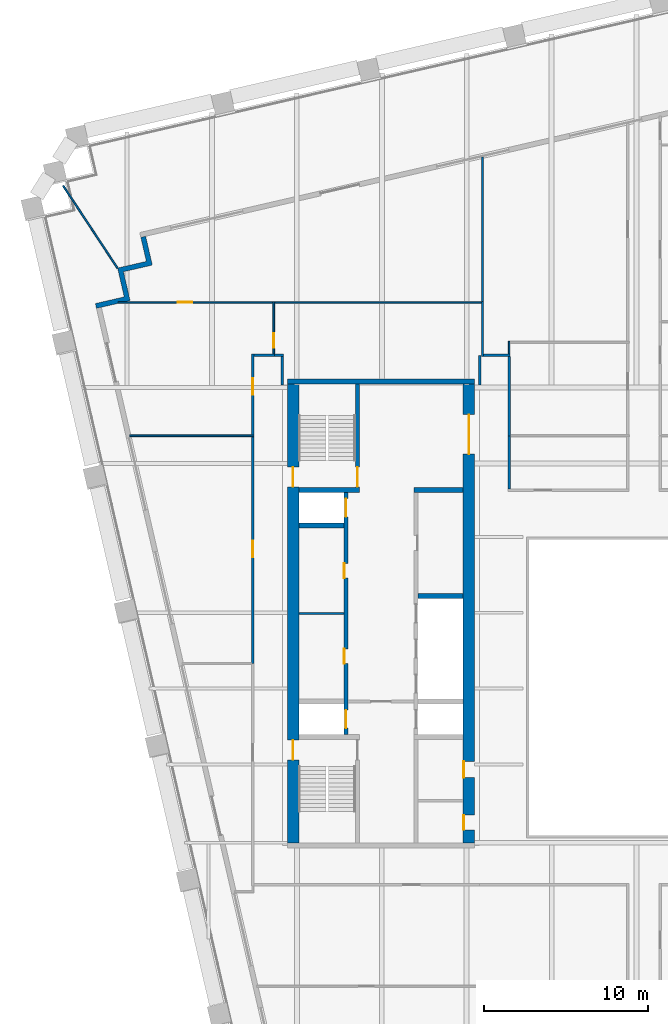
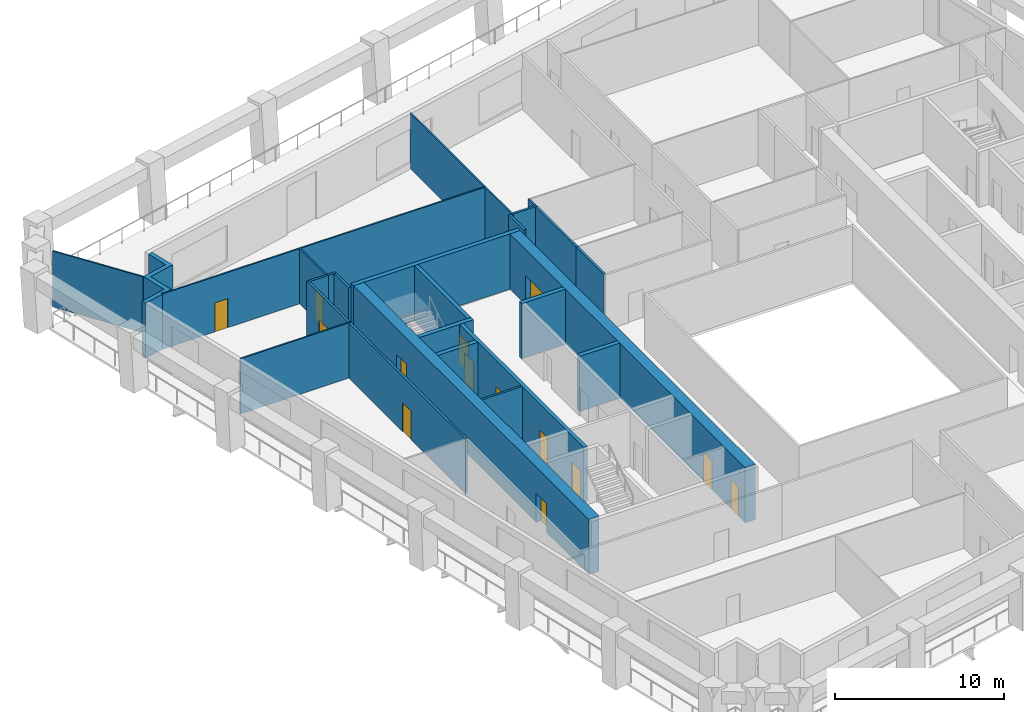
# One storey, part 6 of 11: 28 walls, 14 doors, 14 openings.
"""IFC4 building model written with IfcOpenShell, lengths in metres."""

import ifcopenshell
import ifcopenshell.guid

model = None  # the IFC model being written
_history = None  # IfcOwnerHistory: only IFC2X3 demands one
_inside = {}  # id of a spatial element -> (the spatial element, [elements in it])
_under = {}  # id of a project, library or spatial element -> (it, [spatial elements below it])
_declared = {}  # id of a project -> (the project, [libraries it declares])
_typed = {}  # id of a type object -> (the type object, [elements of that type])
_made_of = {}  # id of a material, layer set ... -> (it, [elements and type objects made of it])


def new_model(schema):
    """Start an empty IFC model of exactly this schema.

    Asked for "IFC4X3", IfcOpenShell would pick the latest addendum, in which some entities
    have other attributes; the version numbers below select the first issue.
    IFC2X3 requires an IfcOwnerHistory on every rooted entity: one is made here for all.
    """
    global model, _history
    if schema == "IFC4X3":
        model = ifcopenshell.file(schema_version=(4, 3, 0, 0))
    else:
        model = ifcopenshell.file(schema=schema)
    _inside.clear()
    _under.clear()
    _declared.clear()
    _typed.clear()
    _made_of.clear()
    _history = None
    if model.schema == "IFC2X3":
        org = make("IfcOrganization", Name="unknown")
        user = make(
            "IfcPersonAndOrganization",
            ThePerson=make("IfcPerson", FamilyName="unknown"),
            TheOrganization=org,
        )
        app = make(
            "IfcApplication",
            ApplicationDeveloper=org,
            Version="unknown",
            ApplicationFullName="unknown",
            ApplicationIdentifier="unknown",
        )
        _history = make(
            "IfcOwnerHistory",
            OwningUser=user,
            OwningApplication=app,
            ChangeAction="ADDED",
            CreationDate=0,
        )
    return model


def make(cls, **values):
    """One entity of the class cls with the attributes given. An attribute that is None is left unset."""
    return model.create_entity(
        cls, **{name: value for name, value in values.items() if value is not None}
    )


def rooted(cls, **values):
    """An entity with a GlobalId (a new one), such as an element, a storey or a relation."""
    return make(cls, GlobalId=ifcopenshell.guid.new(), OwnerHistory=_history, **values)


def si_unit(unit_type, name, prefix=None):
    """IfcSIUnit, for example si_unit("LENGTHUNIT", "METRE", prefix="MILLI")."""
    return make("IfcSIUnit", UnitType=unit_type, Prefix=prefix, Name=name)


def assignment(units):
    """IfcUnitAssignment: the units of a project."""
    return None if units is None else make("IfcUnitAssignment", Units=units)


def point(xyz):
    """IfcCartesianPoint."""
    return None if xyz is None else make("IfcCartesianPoint", Coordinates=xyz)


def direction(xyz):
    """IfcDirection."""
    return None if xyz is None else make("IfcDirection", DirectionRatios=xyz)


def frame(location, z_axis=None, x_axis=None):
    """IfcAxis2Placement3D, a coordinate frame: its origin and axes. An axis left out is left unset."""
    return make(
        "IfcAxis2Placement3D",
        Location=point(location),
        Axis=direction(z_axis),
        RefDirection=direction(x_axis),
    )


def frame_2d(location, x_axis=None):
    """IfcAxis2Placement2D, a coordinate frame in the plane: its origin and x axis."""
    return make(
        "IfcAxis2Placement2D", Location=point(location), RefDirection=direction(x_axis)
    )


def origin():
    """The frame at (0, 0, 0) with its axes left unset."""
    return frame((0.0, 0.0, 0.0))


def place(relative_to, where):
    """IfcLocalPlacement: puts the frame where relative to a parent placement (None: the world)."""
    return make(
        "IfcLocalPlacement", PlacementRelTo=relative_to, RelativePlacement=where
    )


def context(
    kind, dimensions, precision=None, world=None, true_north=None, identifier=None
):
    """IfcGeometricRepresentationContext, for example the 3D "Model" context."""
    return make(
        "IfcGeometricRepresentationContext",
        ContextIdentifier=identifier,
        ContextType=kind,
        CoordinateSpaceDimension=dimensions,
        Precision=precision,
        WorldCoordinateSystem=world,
        TrueNorth=true_north,
    )


def subcontext(parent, identifier, kind, view, scale=None):
    """IfcGeometricRepresentationSubContext, for example "Body" below "Model"."""
    return make(
        "IfcGeometricRepresentationSubContext",
        ContextIdentifier=identifier,
        ContextType=kind,
        ParentContext=parent,
        TargetScale=scale,
        TargetView=view,
    )


def project(units=None, contexts=None):
    """IfcProject with its units and contexts."""
    return rooted(
        "IfcProject",
        Name="project",
        RepresentationContexts=contexts,
        UnitsInContext=assignment(units),
    )


def spatial(cls, under=None, at=None, **own):
    """A site, building, storey or space (cls), placed at a placement, below another one or the project."""
    s = rooted(cls, ObjectPlacement=at, **own)
    if under is not None:
        _under.setdefault(under.id(), (under, []))[1].append(s)
    return s


def polyline(points):
    """IfcPolyline through the points."""
    return make("IfcPolyline", Points=[point(p) for p in points])


def profile(cls, at=None, kind="AREA", **sizes):
    """A parametric profile (cls). Its sizes go by their IFC names, for example OverallWidth=200.0."""
    return make(cls, ProfileType=kind, Position=at, **sizes)


def rectangle(**sizes):
    """IfcRectangleProfileDef."""
    return profile("IfcRectangleProfileDef", **sizes)


def outline(outer, holes=None, kind="AREA"):
    """IfcArbitraryClosedProfileDef: a profile drawn as a closed curve; with holes, ...WithVoids."""
    if holes is None:
        return make("IfcArbitraryClosedProfileDef", ProfileType=kind, OuterCurve=outer)
    return make(
        "IfcArbitraryProfileDefWithVoids",
        ProfileType=kind,
        OuterCurve=outer,
        InnerCurves=holes,
    )


def extrude(swept, where, along, depth):
    """IfcExtrudedAreaSolid: the profile swept, set in the frame where, extruded along a direction by depth."""
    return make(
        "IfcExtrudedAreaSolid",
        SweptArea=swept,
        Position=where,
        ExtrudedDirection=direction(along),
        Depth=depth,
    )


def shape(context_of_items, identifier, shape_type, items):
    """IfcShapeRepresentation: the items that make up one representation, for example the "Body"."""
    return make(
        "IfcShapeRepresentation",
        ContextOfItems=context_of_items,
        RepresentationIdentifier=identifier,
        RepresentationType=shape_type,
        Items=items,
    )


def material(Name=None, Category=None):
    """IfcMaterial."""
    return make("IfcMaterial", Name=Name, Category=Category)


def layer(
    of_material, thickness, ventilated=None, Name=None, Category=None, Priority=None
):
    """IfcMaterialLayer: one layer of a wall or slab, of a material (None: an air gap)."""
    return make(
        "IfcMaterialLayer",
        Material=of_material,
        LayerThickness=thickness,
        IsVentilated=ventilated,
        Name=Name,
        Category=Category,
        Priority=Priority,
    )


def layer_set(layers, Name=None):
    """IfcMaterialLayerSet."""
    return make("IfcMaterialLayerSet", MaterialLayers=layers, LayerSetName=Name)


def made_of(thing, what):
    """Note that an element or type object is made of a material, layer set ...; save() writes the relation."""
    if what is not None:
        _made_of.setdefault(what.id(), (what, []))[1].append(thing)
    return thing


def type_object(cls, material=None, **own):
    """A type object (cls), such as IfcWallType, which elements share."""
    return made_of(rooted(cls, **own), material)


def element(
    cls,
    number,
    at=None,
    inside=None,
    cuts=None,
    type_object=None,
    material=None,
    context=None,
    identifier="Body",
    shape_type=None,
    held_by="IfcProductDefinitionShape",
    body=None,
    shapes=None,
    **own,
):
    """One element of the class cls, such as IfcWall. Its Tag is "e" and its number.

    at: its placement. inside: the storey or other place that contains it. cuts: it is an
    opening in that element (IfcRelVoidsElement). A single representation is given by context,
    identifier, shape_type and body (its items); several are given by shapes. held_by: the class
    of the entity that holds the representations. save() writes the other relations.
    """
    e = rooted(cls, Tag="e%d" % number, ObjectPlacement=at, **own)
    if body is not None:
        shapes = [shape(context, identifier, shape_type, body)]
    if shapes is not None:
        e.Representation = make(held_by, Representations=shapes)
    if inside is not None:
        _inside.setdefault(inside.id(), (inside, []))[1].append(e)
    if cuts is not None:
        rooted(
            "IfcRelVoidsElement", RelatingBuildingElement=cuts, RelatedOpeningElement=e
        )
    if type_object is not None:
        _typed.setdefault(type_object.id(), (type_object, []))[1].append(e)
    return made_of(e, material)


def fill(opening, filler):
    """IfcRelFillsElement: the door or window that sits in an opening."""
    return rooted(
        "IfcRelFillsElement",
        RelatingOpeningElement=opening,
        RelatedBuildingElement=filler,
    )


def aggregate(whole, parts):
    """IfcRelAggregates: a whole, such as a stair, and the parts it consists of."""
    return rooted("IfcRelAggregates", RelatingObject=whole, RelatedObjects=parts)


def save(model, path):
    """Write the relations noted so far, then the file.

    IfcRelAggregates (storeys below a building ...), IfcRelContainedInSpatialStructure (elements
    in a storey), IfcRelDefinesByType, IfcRelAssociatesMaterial and IfcRelDeclares: one each for
    every whole, place, type object, material and project.
    """
    for whole, parts in _under.values():
        aggregate(whole, parts)
    for where, things in _inside.values():
        rooted(
            "IfcRelContainedInSpatialStructure",
            RelatedElements=things,
            RelatingStructure=where,
        )
    for kind, things in _typed.values():
        rooted("IfcRelDefinesByType", RelatedObjects=things, RelatingType=kind)
    for what, things in _made_of.values():
        rooted("IfcRelAssociatesMaterial", RelatedObjects=things, RelatingMaterial=what)
    for by, libraries in _declared.values():
        rooted("IfcRelDeclares", RelatingContext=by, RelatedDefinitions=libraries)
    model.write(path)


model = new_model("IFC4")

# Units and contexts
model_context = context("Model", 3, precision=1e-05, world=origin(), true_north=direction((0.0, 1.0)))
body_context = subcontext(model_context, "Body", "Model", "MODEL_VIEW")
ifc_project = project(units=[si_unit("LENGTHUNIT", "METRE"), si_unit("AREAUNIT", "SQUARE_METRE"), si_unit("VOLUMEUNIT", "CUBIC_METRE"), si_unit("PLANEANGLEUNIT", "RADIAN"), si_unit("MASSUNIT", "GRAM", prefix="KILO")], contexts=[model_context])

# Site, building, storey
site_placement = place(None, origin())
site = spatial("IfcSite", under=ifc_project, at=site_placement, CompositionType="ELEMENT")
building_placement = place(site_placement, origin())
building = spatial("IfcBuilding", under=site, at=building_placement, Name="Ogive Exchange Tower", CompositionType="ELEMENT")
storey_placement = place(building_placement, frame((0.0, 0.0, 213.60009765625)))
storey = spatial("IfcBuildingStorey", under=building, at=storey_placement, Name="L47", CompositionType="ELEMENT", Elevation=213.60009765625)

# Walls
ifc_material_1 = material(Name="Gypsum board partition")
ifc_layer_1 = layer(ifc_material_1, 0.14990234375)
ifc_layer_set_1 = layer_set([ifc_layer_1], Name="Core room partition 150 gypsum")
wall_type_1 = type_object("IfcWallType", Name="Core room partition 150 gypsum", PredefinedType="PARTITIONING", material=ifc_layer_set_1)
wall_1_placement = place(storey_placement, frame((-21.0, 11.5, 0.0), z_axis=(0.0, 0.0, 1.0), x_axis=(1.0, 0.0, 0.0)))
element("IfcWall", 1, at=wall_1_placement, inside=storey, type_object=wall_type_1, Name="W row A bay partition 1-1", PredefinedType="PARTITIONING", context=body_context, shape_type="SweptSolid", body=[
    extrude(rectangle(XDim=2.75, YDim=0.14990234375, at=frame_2d((1.375, 0.0))), origin(), (0.0, 0.0, 1.0), 4.0),
])
ifc_layer_2 = layer(ifc_material_1, 0.300048828125)
ifc_layer_set_2 = layer_set([ifc_layer_2], Name="Core room partition 300 gypsum")
wall_type_2 = type_object("IfcWallType", Name="Core room partition 300 gypsum", PredefinedType="PARTITIONING", material=ifc_layer_set_2)
wall_2_placement = place(storey_placement, frame((-14.0, 19.0, 0.0), z_axis=(0.0, 0.0, 1.0), x_axis=(1.0, 0.0, 0.0)))
element("IfcWall", 2, at=wall_2_placement, inside=storey, type_object=wall_type_2, Name="W row B room end wall 7", PredefinedType="PARTITIONING", context=body_context, shape_type="SweptSolid", body=[
    extrude(rectangle(XDim=3.0, YDim=0.300048828125, at=frame_2d((1.5, 0.0))), origin(), (0.0, 0.0, 1.0), 4.0),
])

# Wall, opening, door
ifc_material_2 = material(Name="Fire partition EI 60 150")
ifc_layer_3 = layer(ifc_material_2, 0.14990234375)
ifc_layer_set_3 = layer_set([ifc_layer_3], Name="Fire partition EI 60 150")
wall_type_3 = type_object("IfcWallType", Name="Fire partition EI 60 150", PredefinedType="PARTITIONING", material=ifc_layer_set_3)
wall_3_placement = place(storey_placement, frame((-23.800048828125, 8.449951171875, 0.0), z_axis=(0.0, 0.0, 1.0), x_axis=(0.0, 1.0, 0.0)))
wall_3 = element("IfcWall", 3, at=wall_3_placement, inside=storey, type_object=wall_type_3, Name="L47-PWL-004", PredefinedType="PARTITIONING", context=body_context, shape_type="SweptSolid", body=[
    extrude(rectangle(XDim=13.81005859375, YDim=0.14990234375, at=frame_2d((6.905029296875, 0.0))), origin(), (0.0, 0.0, 1.0), 4.0),
])
opening_1_placement = place(wall_3_placement, frame((6.4599609375, 0.0, 0.0)))
opening_1 = element("IfcOpeningElement", 4, at=opening_1_placement, cuts=wall_3, Name="Opening L47-I01", PredefinedType="OPENING", context=body_context, shape_type="SweptSolid", body=[
    extrude(rectangle(XDim=1.0, YDim=2.10009765625, at=frame_2d((0.5, 1.050048828125))), frame((0.0, 0.0849609375, 0.0), z_axis=(0.0, -1.0, 0.0), x_axis=(1.0, 0.0, 0.0)), (0.0, 0.0, 1.0), 0.169921875),
])
ifc_material_3 = material(Name="Fire door FD 30S 1000 x 2100")
door_type_1 = type_object("IfcDoorType", Name="Fire door FD 30S 1000 x 2100", OperationType="NOTDEFINED", PredefinedType="DOOR", material=ifc_material_3)
door_1_placement = place(opening_1_placement, origin())
door_1 = element("IfcDoor", 5, at=door_1_placement, inside=storey, type_object=door_type_1, Name="L47-IDR-001", ObjectType="DT3", OperationType="SINGLE_SWING_LEFT", OverallHeight=2.10009765625, OverallWidth=1.0, PredefinedType="DOOR", context=body_context, shape_type="SweptSolid", body=[
    extrude(rectangle(XDim=1.0, YDim=2.10009765625, at=frame_2d((0.5, 1.050048828125))), frame((0.0, 0.02490234375, 0.0), z_axis=(0.0, -1.0, 0.0), x_axis=(1.0, 0.0, 0.0)), (0.0, 0.0, 1.0), 0.050048828125),
])
fill(opening_1, door_1)

wall_4_placement = place(storey_placement, frame((-23.800048828125, 22.360107421875, 0.0), z_axis=(0.0, 0.0, 1.0), x_axis=(0.0, 1.0, 0.0)))
wall_4 = element("IfcWall", 6, at=wall_4_placement, inside=storey, type_object=wall_type_3, Name="L47-PWL-005", PredefinedType="PARTITIONING", context=body_context, shape_type="SweptSolid", body=[
    extrude(rectangle(XDim=4.914794921875, YDim=0.14990234375, at=frame_2d((2.45751953125, 0.0))), origin(), (0.0, 0.0, 1.0), 4.0),
])
opening_2_placement = place(wall_4_placement, frame((2.43994140625, 0.0, 0.0)))
opening_2 = element("IfcOpeningElement", 7, at=opening_2_placement, cuts=wall_4, Name="Opening L47-I07", PredefinedType="OPENING", context=body_context, shape_type="SweptSolid", body=[
    extrude(rectangle(XDim=1.0, YDim=2.10009765625, at=frame_2d((0.5, 1.050048828125))), frame((0.0, 0.0849609375, 0.0), z_axis=(0.0, -1.0, 0.0), x_axis=(1.0, 0.0, 0.0)), (0.0, 0.0, 1.0), 0.169921875),
])
door_2_placement = place(opening_2_placement, origin())
door_2 = element("IfcDoor", 8, at=door_2_placement, inside=storey, type_object=door_type_1, Name="L47-IDR-007", ObjectType="DT3", OperationType="SINGLE_SWING_RIGHT", OverallHeight=2.10009765625, OverallWidth=1.0, PredefinedType="DOOR", context=body_context, shape_type="SweptSolid", body=[
    extrude(rectangle(XDim=1.0, YDim=2.10009765625, at=frame_2d((0.5, 1.050048828125))), frame((0.0, 0.02490234375, 0.0), z_axis=(0.0, -1.0, 0.0), x_axis=(1.0, 0.0, 0.0)), (0.0, 0.0, 1.0), 0.050048828125),
])
fill(opening_2, door_2)

# Walls
wall_5_placement = place(storey_placement, frame((-23.72509765625, 27.199951171875, 0.0), z_axis=(0.0, 0.0, 1.0), x_axis=(1.0, 0.0, 0.0)))
element("IfcWall", 9, at=wall_5_placement, inside=storey, type_object=wall_type_3, Name="L47-PWL-006", PredefinedType="PARTITIONING", context=body_context, shape_type="SweptSolid", body=[
    extrude(rectangle(XDim=1.255126953125, YDim=0.14990234375, at=frame_2d((0.62744140625, 0.0))), origin(), (0.0, 0.0, 1.0), 4.0),
])
wall_6_placement = place(storey_placement, frame((-22.469970703125, 27.199951171875, 0.0), z_axis=(0.0, 0.0, 1.0), x_axis=(1.0, 0.0, 0.0)))
element("IfcWall", 10, at=wall_6_placement, inside=storey, type_object=wall_type_3, Name="L47-PWL-010", PredefinedType="PARTITIONING", context=body_context, shape_type="SweptSolid", body=[
    extrude(rectangle(XDim=0.544921875, YDim=0.14990234375, at=frame_2d((0.2724609375, 0.0))), origin(), (0.0, 0.0, 1.0), 4.0),
])
wall_7_placement = place(storey_placement, frame((-22.0, 27.125, 0.0), z_axis=(0.0, 0.0, 1.0), x_axis=(0.0, -1.0, 0.0)))
element("IfcWall", 11, at=wall_7_placement, inside=storey, type_object=wall_type_3, Name="L47-PWL-012", PredefinedType="PARTITIONING", context=body_context, shape_type="SweptSolid", body=[
    extrude(rectangle(XDim=1.72509765625, YDim=0.14990234375, at=frame_2d((0.862548828125, 0.0))), origin(), (0.0, 0.0, 1.0), 4.0),
])
wall_8_placement = place(storey_placement, frame((-10.0, 25.39990234375, 0.0), z_axis=(0.0, 0.0, 1.0), x_axis=(0.0, 1.0, 0.0)))
element("IfcWall", 12, at=wall_8_placement, inside=storey, type_object=wall_type_3, Name="L47-PWL-014", PredefinedType="PARTITIONING", context=body_context, shape_type="SweptSolid", body=[
    extrude(rectangle(XDim=1.800048828125, YDim=0.14990234375, at=frame_2d((0.89990234375, 0.0))), origin(), (0.0, 0.0, 1.0), 4.0),
])
wall_9_placement = place(storey_placement, frame((-9.780029296875, 27.2099609375, 0.0), z_axis=(0.0, 0.0, 1.0), x_axis=(1.0, 0.0, 0.0)))
element("IfcWall", 13, at=wall_9_placement, inside=storey, type_object=wall_type_3, Name="L47-PWL-018", PredefinedType="PARTITIONING", context=body_context, shape_type="SweptSolid", body=[
    extrude(rectangle(XDim=1.6201171875, YDim=0.14990234375, at=frame_2d((0.81005859375, 0.0))), origin(), (0.0, 0.0, 1.0), 4.0),
])
wall_10_placement = place(storey_placement, frame((-8.199951171875, 22.31005859375, 0.0), z_axis=(0.0, 0.0, 1.0), x_axis=(0.0, -1.0, 0.0)))
element("IfcWall", 14, at=wall_10_placement, inside=storey, type_object=wall_type_3, Name="L47-PWL-024", PredefinedType="PARTITIONING", context=body_context, shape_type="SweptSolid", body=[
    extrude(rectangle(XDim=3.235107421875, YDim=0.14990234375, at=frame_2d((1.61767578125, 0.0))), origin(), (0.0, 0.0, 1.0), 4.0),
])
wall_11_placement = place(storey_placement, frame((-8.199951171875, 27.125, 0.0), z_axis=(0.0, 0.0, 1.0), x_axis=(0.0, -1.0, 0.0)))
element("IfcWall", 15, at=wall_11_placement, inside=storey, type_object=wall_type_3, Name="L47-PWL-026", PredefinedType="PARTITIONING", context=body_context, shape_type="SweptSolid", body=[
    extrude(rectangle(XDim=4.81494140625, YDim=0.14990234375, at=frame_2d((2.407470703125, 0.0))), origin(), (0.0, 0.0, 1.0), 4.0),
])
ifc_material_4 = material(Name="Precast concrete C40/50", Category="concrete")
ifc_layer_4 = layer(ifc_material_4, 0.300048828125)
ifc_layer_set_4 = layer_set([ifc_layer_4], Name="Limestone-faced wall 300")
wall_type_4 = type_object("IfcWallType", Name="Limestone-faced wall 300", PredefinedType="STANDARD", material=ifc_layer_set_4)
wall_12_placement = place(storey_placement, origin())
element("IfcWall", 16, at=wall_12_placement, inside=storey, type_object=wall_type_4, Name="External corner wall C3", PredefinedType="STANDARD", context=body_context, shape_type="SweptSolid", body=[
    extrude(outline(polyline([(-31.616943359375, 30.755615234375), (-32.02197265625, 32.509521484375), (-30.26806640625, 32.914306640625), (-30.60546875, 34.3759765625), (-30.31298828125, 34.443359375), (-29.908203125, 32.689697265625), (-31.662109375, 32.28466796875), (-31.257080078125, 30.53076171875), (-33.30322265625, 30.058349609375), (-33.370849609375, 30.3505859375), (-31.616943359375, 30.755615234375)])), origin(), (0.0, 0.0, 1.0), 4.0),
])
ifc_material_5 = material(Name="Laminated safety glass in steel frame", Category="steel")
ifc_layer_5 = layer(ifc_material_5, 0.10009765625)
ifc_layer_set_5 = layer_set([ifc_layer_5], Name="Loggia end screen 100")
wall_type_5 = type_object("IfcWallType", Name="Loggia end screen 100", PredefinedType="STANDARD", material=ifc_layer_set_5)
wall_13_placement = place(storey_placement, frame((-32.02197265625, 32.509521484375, -0.050048828125), z_axis=(0.0, 0.0, 1.0), x_axis=(-0.551323545156, 0.834291524922, 0.0)))
element("IfcWall", 17, at=wall_13_placement, inside=storey, type_object=wall_type_5, Name="Loggia end screen C3", PredefinedType="STANDARD", context=body_context, shape_type="SweptSolid", body=[
    extrude(rectangle(XDim=5.998046875, YDim=0.10009765625, at=frame_2d((2.9990234375, 0.0))), origin(), (0.0, 0.0, 1.0), 4.050048828125),
])
ifc_material_6 = material(Name="Partition 100 gypsum")
ifc_layer_6 = layer(ifc_material_6, 0.10009765625)
ifc_layer_set_6 = layer_set([ifc_layer_6], Name="Partition 100 gypsum")
wall_type_6 = type_object("IfcWallType", Name="Partition 100 gypsum", PredefinedType="PARTITIONING", material=ifc_layer_set_6)
wall_14_placement = place(storey_placement, frame((-31.2890625, 22.31005859375, 0.0), z_axis=(0.0, 0.0, 1.0), x_axis=(1.0, 0.0, 0.0)))
element("IfcWall", 18, at=wall_14_placement, inside=storey, type_object=wall_type_6, Name="L47-PWL-001", PredefinedType="PARTITIONING", context=body_context, shape_type="SweptSolid", body=[
    extrude(rectangle(XDim=7.56396484375, YDim=0.10009765625, at=frame_2d((3.781982421875, 0.0))), origin(), (0.0, 0.0, 1.0), 4.0),
])

# Wall, opening, door
wall_15_placement = place(storey_placement, frame((-22.52001953125, 27.27490234375, 0.0), z_axis=(0.0, 0.0, 1.0), x_axis=(0.0, 1.0, 0.0)))
wall_15 = element("IfcWall", 19, at=wall_15_placement, inside=storey, type_object=wall_type_6, Name="L47-PWL-009", PredefinedType="PARTITIONING", context=body_context, shape_type="SweptSolid", body=[
    extrude(rectangle(XDim=3.195068359375, YDim=0.10009765625, at=frame_2d((1.59765625, 0.0))), origin(), (0.0, 0.0, 1.0), 4.0),
])
opening_3_placement = place(wall_15_placement, frame((0.375, 0.0, 0.0)))
opening_3 = element("IfcOpeningElement", 20, at=opening_3_placement, cuts=wall_15, Name="Opening L47-I06", PredefinedType="OPENING", context=body_context, shape_type="SweptSolid", body=[
    extrude(rectangle(XDim=0.89990234375, YDim=2.10009765625, at=frame_2d((0.449951171875, 1.050048828125))), frame((0.0, 0.06005859375, 0.0), z_axis=(0.0, -1.0, 0.0), x_axis=(1.0, 0.0, 0.0)), (0.0, 0.0, 1.0), 0.1201171875),
])
ifc_material_7 = material(Name="Door 900 x 2100")
door_type_2 = type_object("IfcDoorType", Name="Door 900 x 2100", OperationType="NOTDEFINED", PredefinedType="DOOR", material=ifc_material_7)
door_3_placement = place(opening_3_placement, frame((0.89990234375, 0.0, 0.0), z_axis=(0.0, 0.0, 1.0), x_axis=(-1.0, 0.0, 0.0)))
door_3 = element("IfcDoor", 21, at=door_3_placement, inside=storey, type_object=door_type_2, Name="L47-IDR-006", ObjectType="DT1", OperationType="SINGLE_SWING_LEFT", OverallHeight=2.10009765625, OverallWidth=0.89990234375, PredefinedType="DOOR", context=body_context, shape_type="SweptSolid", body=[
    extrude(rectangle(XDim=0.89990234375, YDim=2.10009765625, at=frame_2d((0.449951171875, 1.050048828125))), frame((0.0, 0.02490234375, 0.0), z_axis=(0.0, -1.0, 0.0), x_axis=(1.0, 0.0, 0.0)), (0.0, 0.0, 1.0), 0.050048828125),
])
fill(opening_3, door_3)

wall_16_placement = place(storey_placement, frame((-22.570068359375, 30.419921875, 0.0), z_axis=(0.0, 0.0, 1.0), x_axis=(-1.0, 0.0, 0.0)))
wall_16 = element("IfcWall", 22, at=wall_16_placement, inside=storey, type_object=wall_type_6, Name="L47-PWL-011", PredefinedType="PARTITIONING", context=body_context, shape_type="SweptSolid", body=[
    extrude(rectangle(XDim=9.411865234375, YDim=0.10009765625, at=frame_2d((4.7060546875, 0.0))), origin(), (0.0, 0.0, 1.0), 4.0),
])
opening_4_placement = place(wall_16_placement, frame((4.89990234375, 0.0, 0.0)))
opening_4 = element("IfcOpeningElement", 23, at=opening_4_placement, cuts=wall_16, Name="Opening L47-I05", PredefinedType="OPENING", context=body_context, shape_type="SweptSolid", body=[
    extrude(rectangle(XDim=0.89990234375, YDim=2.10009765625, at=frame_2d((0.449951171875, 1.050048828125))), frame((0.0, 0.06005859375, 0.0), z_axis=(0.0, -1.0, 0.0), x_axis=(1.0, 0.0, 0.0)), (0.0, 0.0, 1.0), 0.1201171875),
])
door_4_placement = place(opening_4_placement, origin())
door_4 = element("IfcDoor", 24, at=door_4_placement, inside=storey, type_object=door_type_2, Name="L47-IDR-005", ObjectType="DT1", OperationType="SINGLE_SWING_RIGHT", OverallHeight=2.10009765625, OverallWidth=0.89990234375, PredefinedType="DOOR", context=body_context, shape_type="SweptSolid", body=[
    extrude(rectangle(XDim=0.89990234375, YDim=2.10009765625, at=frame_2d((0.449951171875, 1.050048828125))), frame((0.0, 0.02490234375, 0.0), z_axis=(0.0, -1.0, 0.0), x_axis=(1.0, 0.0, 0.0)), (0.0, 0.0, 1.0), 0.050048828125),
])
fill(opening_4, door_4)

# Walls
wall_17_placement = place(storey_placement, frame((-9.830078125, 27.135009765625, 0.0), z_axis=(0.0, 0.0, 1.0), x_axis=(0.0, 1.0, 0.0)))
element("IfcWall", 25, at=wall_17_placement, inside=storey, type_object=wall_type_6, Name="L47-PWL-017", PredefinedType="PARTITIONING", context=body_context, shape_type="SweptSolid", body=[
    extrude(rectangle(XDim=3.3349609375, YDim=0.10009765625, at=frame_2d((1.66748046875, 0.0))), origin(), (0.0, 0.0, 1.0), 4.0),
])
wall_18_placement = place(storey_placement, frame((-9.8798828125, 30.419921875, 0.0), z_axis=(0.0, 0.0, 1.0), x_axis=(-1.0, 0.0, 0.0)))
element("IfcWall", 26, at=wall_18_placement, inside=storey, type_object=wall_type_6, Name="L47-PWL-019", PredefinedType="PARTITIONING", context=body_context, shape_type="SweptSolid", body=[
    extrude(rectangle(XDim=12.590087890625, YDim=0.10009765625, at=frame_2d((6.294921875, 0.0))), origin(), (0.0, 0.0, 1.0), 4.0),
])
wall_19_placement = place(storey_placement, frame((-9.830078125, 30.419921875, 0.0), z_axis=(0.0, 0.0, 1.0), x_axis=(0.0, 1.0, 0.0)))
element("IfcWall", 27, at=wall_19_placement, inside=storey, type_object=wall_type_6, Name="L47-PWL-020", PredefinedType="PARTITIONING", context=body_context, shape_type="SweptSolid", body=[
    extrude(rectangle(XDim=8.8349609375, YDim=0.10009765625, at=frame_2d((4.41748046875, 0.0))), origin(), (0.0, 0.0, 1.0), 4.0),
])
wall_20_placement = place(storey_placement, frame((-8.2099609375, 27.284912109375, 0.0), z_axis=(0.0, 0.0, 1.0), x_axis=(0.0, 1.0, 0.0)))
element("IfcWall", 28, at=wall_20_placement, inside=storey, type_object=wall_type_6, Name="L47-PWL-021", PredefinedType="PARTITIONING", context=body_context, shape_type="SweptSolid", body=[
    extrude(rectangle(XDim=0.76513671875, YDim=0.10009765625, at=frame_2d((0.382568359375, 0.0))), origin(), (0.0, 0.0, 1.0), 4.0),
])

# Wall, opening, door
ifc_material_8 = material(Name="Concrete C70/85", Category="concrete")
ifc_layer_7 = layer(ifc_material_8, 0.25)
ifc_layer_set_7 = layer_set([ifc_layer_7], Name="RC core wall 250 C70/85")
wall_type_7 = type_object("IfcWallType", Name="RC core wall 250 C70/85", PredefinedType="SHEAR", material=ifc_layer_set_7)
wall_21_placement = place(storey_placement, frame((-17.425048828125, 19.14990234375, 0.0), z_axis=(0.0, 0.0, 1.0), x_axis=(0.0, 1.0, 0.0)))
wall_21 = element("IfcWall", 29, at=wall_21_placement, inside=storey, type_object=wall_type_7, Name="W stair N front wall", PredefinedType="SHEAR", context=body_context, shape_type="SweptSolid", body=[
    extrude(rectangle(XDim=6.300048828125, YDim=0.25, at=frame_2d((3.14990234375, 0.0))), origin(), (0.0, 0.0, 1.0), 4.0),
])
opening_5_placement = place(wall_21_placement, frame((0.050048828125, 0.0, 0.0)))
opening_5 = element("IfcOpeningElement", 30, at=opening_5_placement, cuts=wall_21, Name="Opening L47-C14", PredefinedType="OPENING", context=body_context, shape_type="SweptSolid", body=[
    extrude(rectangle(XDim=1.199951171875, YDim=2.10009765625, at=frame_2d((0.60009765625, 1.050048828125))), frame((0.0, 0.135009765625, 0.0), z_axis=(0.0, -1.0, 0.0), x_axis=(1.0, 0.0, 0.0)), (0.0, 0.0, 1.0), 0.27001953125),
])
ifc_material_9 = material(Name="Steel fire door", Category="steel")
door_type_3 = type_object("IfcDoorType", Name="Stair door FD90 1200 x 2100", OperationType="NOTDEFINED", PredefinedType="DOOR", material=ifc_material_9)
door_5_placement = place(opening_5_placement, origin())
door_5 = element("IfcDoor", 31, at=door_5_placement, inside=storey, type_object=door_type_3, Name="Stair door", ObjectType="CD5", OperationType="SINGLE_SWING_RIGHT", OverallHeight=2.10009765625, OverallWidth=1.199951171875, PredefinedType="DOOR", context=body_context, shape_type="SweptSolid", body=[
    extrude(rectangle(XDim=1.199951171875, YDim=2.10009765625, at=frame_2d((0.60009765625, 1.050048828125))), frame((0.0, 0.02490234375, 0.0), z_axis=(0.0, -1.0, 0.0), x_axis=(1.0, 0.0, 0.0)), (0.0, 0.0, 1.0), 0.050048828125),
])
fill(opening_5, door_5)

# Wall, openings, doors
wall_22_placement = place(storey_placement, frame((-18.125, 4.14990234375, 0.0), z_axis=(0.0, 0.0, 1.0), x_axis=(0.0, 1.0, 0.0)))
wall_22 = element("IfcWall", 32, at=wall_22_placement, inside=storey, type_object=wall_type_7, Name="W row A front wall", PredefinedType="SHEAR", context=body_context, shape_type="SweptSolid", body=[
    extrude(rectangle(XDim=14.7001953125, YDim=0.25, at=frame_2d((7.35009765625, 0.0))), origin(), (0.0, 0.0, 1.0), 4.0),
])
opening_6_placement = place(wall_22_placement, frame((4.29638671875, 0.0, 0.0)))
opening_6 = element("IfcOpeningElement", 33, at=opening_6_placement, cuts=wall_22, Name="Opening L47-C01", PredefinedType="OPENING", context=body_context, shape_type="SweptSolid", body=[
    extrude(rectangle(XDim=0.89990234375, YDim=2.10009765625, at=frame_2d((0.449951171875, 1.050048828125))), frame((0.0, 0.135009765625, 0.0), z_axis=(0.0, -1.0, 0.0), x_axis=(1.0, 0.0, 0.0)), (0.0, 0.0, 1.0), 0.27001953125),
])
opening_7_placement = place(wall_22_placement, frame((9.503662109375, 0.0, 0.0)))
opening_7 = element("IfcOpeningElement", 34, at=opening_7_placement, cuts=wall_22, Name="Opening L47-C02", PredefinedType="OPENING", context=body_context, shape_type="SweptSolid", body=[
    extrude(rectangle(XDim=0.89990234375, YDim=2.10009765625, at=frame_2d((0.449951171875, 1.050048828125))), frame((0.0, 0.135009765625, 0.0), z_axis=(0.0, -1.0, 0.0), x_axis=(1.0, 0.0, 0.0)), (0.0, 0.0, 1.0), 0.27001953125),
])
opening_8_placement = place(wall_22_placement, frame((0.371337890625, 0.0, 0.0)))
opening_8 = element("IfcOpeningElement", 35, at=opening_8_placement, cuts=wall_22, Name="Opening L47-C03", PredefinedType="OPENING", context=body_context, shape_type="SweptSolid", body=[
    extrude(rectangle(XDim=1.10009765625, YDim=2.10009765625, at=frame_2d((0.550048828125, 1.050048828125))), frame((0.0, 0.135009765625, 0.0), z_axis=(0.0, -1.0, 0.0), x_axis=(1.0, 0.0, 0.0)), (0.0, 0.0, 1.0), 0.27001953125),
])
opening_9_placement = place(wall_22_placement, frame((13.228515625, 0.0, 0.0)))
opening_9 = element("IfcOpeningElement", 36, at=opening_9_placement, cuts=wall_22, Name="Opening L47-C04", PredefinedType="OPENING", context=body_context, shape_type="SweptSolid", body=[
    extrude(rectangle(XDim=1.10009765625, YDim=2.10009765625, at=frame_2d((0.550048828125, 1.050048828125))), frame((0.0, 0.135009765625, 0.0), z_axis=(0.0, -1.0, 0.0), x_axis=(1.0, 0.0, 0.0)), (0.0, 0.0, 1.0), 0.27001953125),
])
ifc_material_10 = material(Name="Stainless steel", Category="steel")
door_type_4 = type_object("IfcDoorType", Name="Lift landing door FD90 1100 x 2100", OperationType="SLIDING_TO_LEFT", PredefinedType="DOOR", material=ifc_material_10)
door_6_placement = place(opening_8_placement, origin())
door_6 = element("IfcDoor", 37, at=door_6_placement, inside=storey, type_object=door_type_4, Name="Lift landing door FF1", ObjectType="LD", OperationType="SLIDING_TO_LEFT", OverallHeight=2.10009765625, OverallWidth=1.10009765625, PredefinedType="DOOR", context=body_context, shape_type="SweptSolid", body=[
    extrude(rectangle(XDim=1.10009765625, YDim=2.10009765625, at=frame_2d((0.550048828125, 1.050048828125))), frame((0.0, 0.02490234375, 0.0), z_axis=(0.0, -1.0, 0.0), x_axis=(1.0, 0.0, 0.0)), (0.0, 0.0, 1.0), 0.050048828125),
])
fill(opening_8, door_6)
door_7_placement = place(opening_9_placement, origin())
door_7 = element("IfcDoor", 38, at=door_7_placement, inside=storey, type_object=door_type_4, Name="Lift landing door W-SH2", ObjectType="LD", OperationType="SLIDING_TO_LEFT", OverallHeight=2.10009765625, OverallWidth=1.10009765625, PredefinedType="DOOR", context=body_context, shape_type="SweptSolid", body=[
    extrude(rectangle(XDim=1.10009765625, YDim=2.10009765625, at=frame_2d((0.550048828125, 1.050048828125))), frame((0.0, 0.02490234375, 0.0), z_axis=(0.0, -1.0, 0.0), x_axis=(1.0, 0.0, 0.0)), (0.0, 0.0, 1.0), 0.050048828125),
])
fill(opening_9, door_7)
door_type_5 = type_object("IfcDoorType", Name="Riser door FD60 900 x 2100", OperationType="NOTDEFINED", PredefinedType="DOOR", material=ifc_material_9)
door_8_placement = place(opening_6_placement, origin())
door_8 = element("IfcDoor", 39, at=door_8_placement, inside=storey, type_object=door_type_5, Name="Riser door", ObjectType="CD2", OperationType="SINGLE_SWING_LEFT", OverallHeight=2.10009765625, OverallWidth=0.89990234375, PredefinedType="DOOR", context=body_context, shape_type="SweptSolid", body=[
    extrude(rectangle(XDim=0.89990234375, YDim=2.10009765625, at=frame_2d((0.449951171875, 1.050048828125))), frame((0.0, 0.125, 0.0), z_axis=(0.0, -1.0, 0.0), x_axis=(1.0, 0.0, 0.0)), (0.0, 0.0, 1.0), 0.050048828125),
])
fill(opening_6, door_8)
door_9_placement = place(opening_7_placement, origin())
door_9 = element("IfcDoor", 40, at=door_9_placement, inside=storey, type_object=door_type_5, Name="Riser door", ObjectType="CD2", OperationType="SINGLE_SWING_LEFT", OverallHeight=2.10009765625, OverallWidth=0.89990234375, PredefinedType="DOOR", context=body_context, shape_type="SweptSolid", body=[
    extrude(rectangle(XDim=0.89990234375, YDim=2.10009765625, at=frame_2d((0.449951171875, 1.050048828125))), frame((0.0, 0.125, 0.0), z_axis=(0.0, -1.0, 0.0), x_axis=(1.0, 0.0, 0.0)), (0.0, 0.0, 1.0), 0.050048828125),
])
fill(opening_7, door_9)

# Walls
ifc_layer_8 = layer(ifc_material_8, 0.300048828125)
ifc_layer_set_8 = layer_set([ifc_layer_8], Name="RC core wall 300 C70/85")
wall_type_8 = type_object("IfcWallType", Name="RC core wall 300 C70/85", PredefinedType="SHEAR", material=ifc_layer_set_8)
wall_23_placement = place(storey_placement, frame((-21.699951171875, 25.60009765625, 0.0), z_axis=(0.0, 0.0, 1.0), x_axis=(1.0, 0.0, 0.0)))
element("IfcWall", 41, at=wall_23_placement, inside=storey, type_object=wall_type_8, Name="W north end wall", PredefinedType="SHEAR", context=body_context, shape_type="SweptSolid", body=[
    extrude(rectangle(XDim=11.39990234375, YDim=0.300048828125, at=frame_2d((5.699951171875, 0.0))), origin(), (0.0, 0.0, 1.0), 4.0),
])
wall_24_placement = place(storey_placement, frame((-21.0, 19.0, 0.0), z_axis=(0.0, 0.0, 1.0), x_axis=(1.0, 0.0, 0.0)))
element("IfcWall", 42, at=wall_24_placement, inside=storey, type_object=wall_type_8, Name="W stair N south wall", PredefinedType="SHEAR", context=body_context, shape_type="SweptSolid", body=[
    extrude(rectangle(XDim=3.699951171875, YDim=0.300048828125, at=frame_2d((1.85009765625, 0.0))), origin(), (0.0, 0.0, 1.0), 4.0),
])
for number, where, z_axis, x_axis, name in (
    (43, (-21.0, 16.857177734375, 0.0), (0.0, 0.0, 1.0), (1.0, 0.0, 0.0), "W row A divider 6"),
    (44, (-13.75, 12.5712890625, 0.0), (0.0, 0.0, 1.0), (1.0, 0.0, 0.0), "W row B divider 4"),
):
    element("IfcWall", number, at=place(storey_placement, frame(where, z_axis=z_axis, x_axis=x_axis)), inside=storey, type_object=wall_type_8, Name=name, PredefinedType="SHEAR", context=body_context, shape_type="SweptSolid", body=[
        extrude(rectangle(XDim=2.75, YDim=0.300048828125, at=frame_2d((1.375, 0.0))), origin(), (0.0, 0.0, 1.0), 4.0),
    ])

# Wall, openings, doors
ifc_layer_9 = layer(ifc_material_8, 0.699951171875)
ifc_layer_set_9 = layer_set([ifc_layer_9], Name="RC core wall 700 C70/85")
wall_type_9 = type_object("IfcWallType", Name="RC core wall 700 C70/85", PredefinedType="SHEAR", material=ifc_layer_set_9)
wall_25_placement = place(storey_placement, frame((-21.35009765625, -2.449951171875, 0.0), z_axis=(0.0, 0.0, 1.0), x_axis=(0.0, 1.0, 0.0)))
wall_25 = element("IfcWall", 45, at=wall_25_placement, inside=storey, type_object=wall_type_9, Name="W outer wall", PredefinedType="SHEAR", context=body_context, shape_type="SweptSolid", body=[
    extrude(rectangle(XDim=27.89990234375, YDim=0.699951171875, at=frame_2d((13.949951171875, 0.0))), origin(), (0.0, 0.0, 1.0), 4.0),
])
opening_10_placement = place(wall_25_placement, frame((5.050048828125, 0.0, 0.0)))
opening_10 = element("IfcOpeningElement", 46, at=opening_10_placement, cuts=wall_25, Name="Opening L47-C13", PredefinedType="OPENING", context=body_context, shape_type="SweptSolid", body=[
    extrude(rectangle(XDim=1.199951171875, YDim=2.10009765625, at=frame_2d((0.60009765625, 1.050048828125))), frame((0.0, 0.35986328125, 0.0), z_axis=(0.0, -1.0, 0.0), x_axis=(1.0, 0.0, 0.0)), (0.0, 0.0, 1.0), 0.719970703125),
])
opening_11_placement = place(wall_25_placement, frame((21.64990234375, 0.0, 0.0)))
opening_11 = element("IfcOpeningElement", 47, at=opening_11_placement, cuts=wall_25, Name="Opening L47-C15", PredefinedType="OPENING", context=body_context, shape_type="SweptSolid", body=[
    extrude(rectangle(XDim=1.199951171875, YDim=2.10009765625, at=frame_2d((0.60009765625, 1.050048828125))), frame((0.0, 0.35986328125, 0.0), z_axis=(0.0, -1.0, 0.0), x_axis=(1.0, 0.0, 0.0)), (0.0, 0.0, 1.0), 0.719970703125),
])
door_10_placement = place(opening_10_placement, frame((1.199951171875, 0.0, 0.0), z_axis=(0.0, 0.0, 1.0), x_axis=(-1.0, 0.0, 0.0)))
door_10 = element("IfcDoor", 48, at=door_10_placement, inside=storey, type_object=door_type_3, Name="Stair door", ObjectType="CD5", OperationType="SINGLE_SWING_RIGHT", OverallHeight=2.10009765625, OverallWidth=1.199951171875, PredefinedType="DOOR", context=body_context, shape_type="SweptSolid", body=[
    extrude(rectangle(XDim=1.199951171875, YDim=2.10009765625, at=frame_2d((0.60009765625, 1.050048828125))), frame((0.0, 0.02490234375, 0.0), z_axis=(0.0, -1.0, 0.0), x_axis=(1.0, 0.0, 0.0)), (0.0, 0.0, 1.0), 0.050048828125),
])
fill(opening_10, door_10)
door_11_placement = place(opening_11_placement, frame((1.199951171875, 0.0, 0.0), z_axis=(0.0, 0.0, 1.0), x_axis=(-1.0, 0.0, 0.0)))
door_11 = element("IfcDoor", 49, at=door_11_placement, inside=storey, type_object=door_type_3, Name="Stair door", ObjectType="CD5", OperationType="SINGLE_SWING_LEFT", OverallHeight=2.10009765625, OverallWidth=1.199951171875, PredefinedType="DOOR", context=body_context, shape_type="SweptSolid", body=[
    extrude(rectangle(XDim=1.199951171875, YDim=2.10009765625, at=frame_2d((0.60009765625, 1.050048828125))), frame((0.0, 0.02490234375, 0.0), z_axis=(0.0, -1.0, 0.0), x_axis=(1.0, 0.0, 0.0)), (0.0, 0.0, 1.0), 0.050048828125),
])
fill(opening_11, door_11)

wall_26_placement = place(storey_placement, frame((-10.64990234375, -2.449951171875, 0.0), z_axis=(0.0, 0.0, 1.0), x_axis=(0.0, 1.0, 0.0)))
wall_26 = element("IfcWall", 50, at=wall_26_placement, inside=storey, type_object=wall_type_9, Name="W inner wall", PredefinedType="SHEAR", context=body_context, shape_type="SweptSolid", body=[
    extrude(rectangle(XDim=27.89990234375, YDim=0.699951171875, at=frame_2d((13.949951171875, 0.0))), origin(), (0.0, 0.0, 1.0), 4.0),
])
opening_12_placement = place(wall_26_placement, frame((23.64990234375, 0.0, 0.0)))
opening_12 = element("IfcOpeningElement", 51, at=opening_12_placement, cuts=wall_26, Name="Opening L47-C11", PredefinedType="OPENING", context=body_context, shape_type="SweptSolid", body=[
    extrude(rectangle(XDim=2.39990234375, YDim=2.10009765625, at=frame_2d((1.199951171875, 1.050048828125))), frame((0.0, 0.35986328125, 0.0), z_axis=(0.0, -1.0, 0.0), x_axis=(1.0, 0.0, 0.0)), (0.0, 0.0, 1.0), 0.719970703125),
])
opening_13_placement = place(wall_26_placement, frame((0.78759765625, 0.0, 0.0)))
opening_13 = element("IfcOpeningElement", 52, at=opening_13_placement, cuts=wall_26, Name="Opening L47-C16", PredefinedType="OPENING", context=body_context, shape_type="SweptSolid", body=[
    extrude(rectangle(XDim=0.89990234375, YDim=2.10009765625, at=frame_2d((0.449951171875, 1.050048828125))), frame((0.0, 0.35986328125, 0.0), z_axis=(0.0, -1.0, 0.0), x_axis=(1.0, 0.0, 0.0)), (0.0, 0.0, 1.0), 0.719970703125),
])
opening_14_placement = place(wall_26_placement, frame((3.96240234375, 0.0, 0.0)))
opening_14 = element("IfcOpeningElement", 53, at=opening_14_placement, cuts=wall_26, Name="Opening L47-C17", PredefinedType="OPENING", context=body_context, shape_type="SweptSolid", body=[
    extrude(rectangle(XDim=1.0, YDim=2.10009765625, at=frame_2d((0.5, 1.050048828125))), frame((0.0, 0.35986328125, 0.0), z_axis=(0.0, -1.0, 0.0), x_axis=(1.0, 0.0, 0.0)), (0.0, 0.0, 1.0), 0.719970703125),
])
ifc_material_11 = material(Name="Timber fire door", Category="wood")
door_type_6 = type_object("IfcDoorType", Name="Accessible WC door FD30S 1000 x 2100", OperationType="NOTDEFINED", PredefinedType="DOOR", material=ifc_material_11)
door_12_placement = place(opening_14_placement, origin())
door_12 = element("IfcDoor", 54, at=door_12_placement, inside=storey, type_object=door_type_6, Name="Accessible WC door", ObjectType="CD7", OperationType="SINGLE_SWING_LEFT", OverallHeight=2.10009765625, OverallWidth=1.0, PredefinedType="DOOR", context=body_context, shape_type="SweptSolid", body=[
    extrude(rectangle(XDim=1.0, YDim=2.10009765625, at=frame_2d((0.5, 1.050048828125))), frame((0.0, 0.35009765625, 0.0), z_axis=(0.0, -1.0, 0.0), x_axis=(1.0, 0.0, 0.0)), (0.0, 0.0, 1.0), 0.050048828125),
])
fill(opening_14, door_12)
door_type_7 = type_object("IfcDoorType", Name="Core room door FD30S 900 x 2100", OperationType="NOTDEFINED", PredefinedType="DOOR", material=ifc_material_11)
door_13_placement = place(opening_13_placement, origin())
door_13 = element("IfcDoor", 55, at=door_13_placement, inside=storey, type_object=door_type_7, Name="Core room door", ObjectType="CD6", OperationType="SINGLE_SWING_LEFT", OverallHeight=2.10009765625, OverallWidth=0.89990234375, PredefinedType="DOOR", context=body_context, shape_type="SweptSolid", body=[
    extrude(rectangle(XDim=0.89990234375, YDim=2.10009765625, at=frame_2d((0.449951171875, 1.050048828125))), frame((0.0, 0.35009765625, 0.0), z_axis=(0.0, -1.0, 0.0), x_axis=(1.0, 0.0, 0.0)), (0.0, 0.0, 1.0), 0.050048828125),
])
fill(opening_13, door_13)
ifc_material_12 = material(Name="Glazed steel fire door", Category="steel")
door_type_8 = type_object("IfcDoorType", Name="Lift lobby double door FD60 2400 x 2100", OperationType="DOUBLE_DOOR_SINGLE_SWING", PredefinedType="DOOR", material=ifc_material_12)
door_14_placement = place(opening_12_placement, frame((2.39990234375, 0.0, 0.0), z_axis=(0.0, 0.0, 1.0), x_axis=(-1.0, 0.0, 0.0)))
door_14 = element("IfcDoor", 56, at=door_14_placement, inside=storey, type_object=door_type_8, Name="Lift lobby double door", ObjectType="CD4", OperationType="DOUBLE_DOOR_SINGLE_SWING", OverallHeight=2.10009765625, OverallWidth=2.39990234375, PredefinedType="DOOR", context=body_context, shape_type="SweptSolid", body=[
    extrude(rectangle(XDim=2.39990234375, YDim=2.10009765625, at=frame_2d((1.199951171875, 1.050048828125))), frame((0.0, 0.02490234375, 0.0), z_axis=(0.0, -1.0, 0.0), x_axis=(1.0, 0.0, 0.0)), (0.0, 0.0, 1.0), 0.050048828125),
])
fill(opening_12, door_14)

save(model, "model.ifc")
